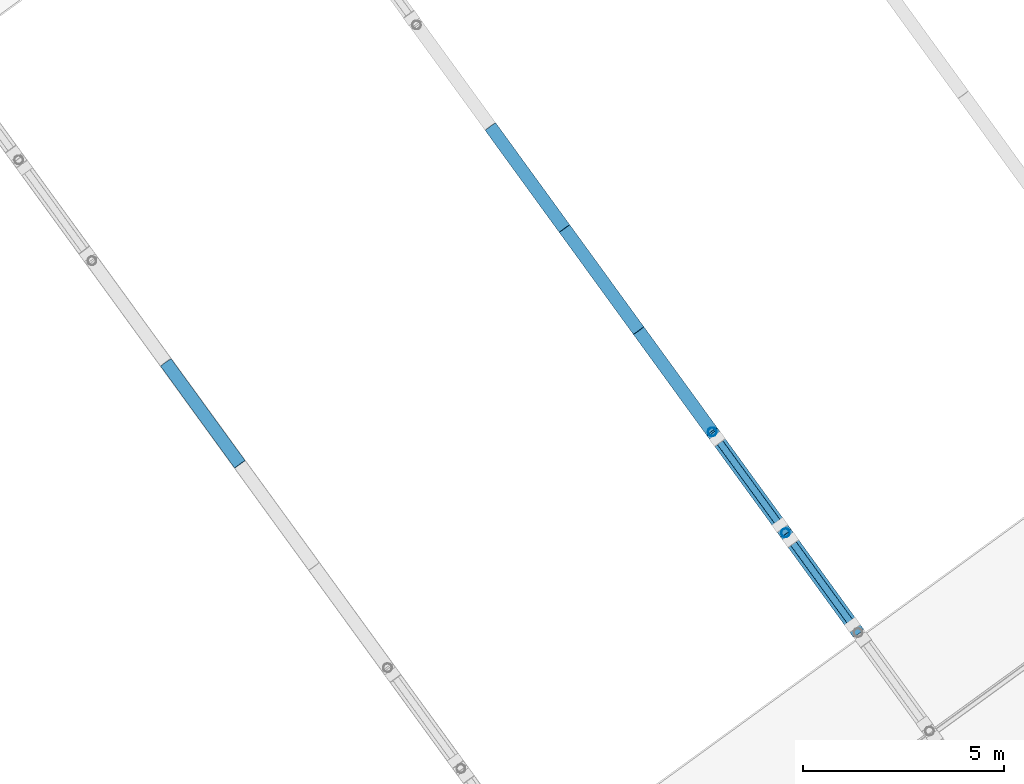
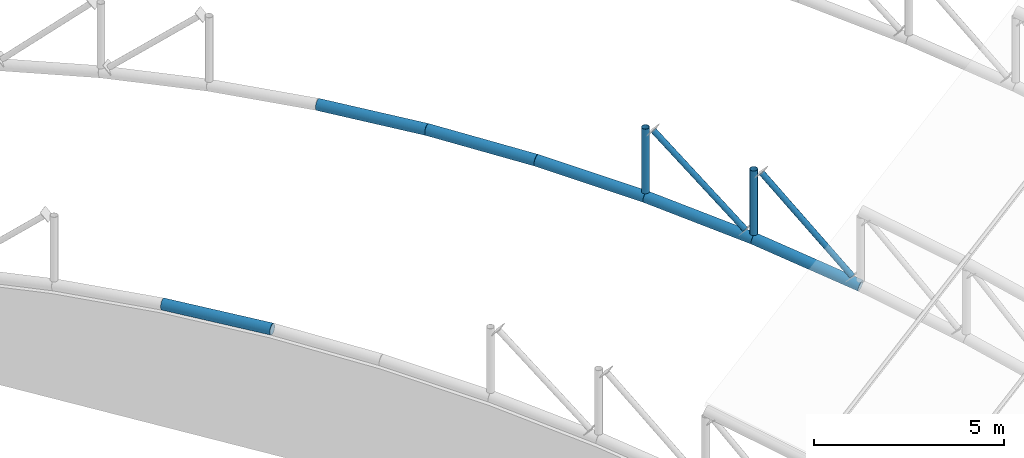
# One storey, part 16 of 69: 10 members.
"""IFC4 building model written with IfcOpenShell, lengths in metres."""

import ifcopenshell
import ifcopenshell.guid

model = None  # the IFC model being written
_history = None  # IfcOwnerHistory: only IFC2X3 demands one
_inside = {}  # id of a spatial element -> (the spatial element, [elements in it])
_under = {}  # id of a project, library or spatial element -> (it, [spatial elements below it])
_declared = {}  # id of a project -> (the project, [libraries it declares])
_typed = {}  # id of a type object -> (the type object, [elements of that type])
_made_of = {}  # id of a material, layer set ... -> (it, [elements and type objects made of it])


def new_model(schema):
    """Start an empty IFC model of exactly this schema.

    Asked for "IFC4X3", IfcOpenShell would pick the latest addendum, in which some entities
    have other attributes; the version numbers below select the first issue.
    IFC2X3 requires an IfcOwnerHistory on every rooted entity: one is made here for all.
    """
    global model, _history
    if schema == "IFC4X3":
        model = ifcopenshell.file(schema_version=(4, 3, 0, 0))
    else:
        model = ifcopenshell.file(schema=schema)
    _inside.clear()
    _under.clear()
    _declared.clear()
    _typed.clear()
    _made_of.clear()
    _history = None
    if model.schema == "IFC2X3":
        org = make("IfcOrganization", Name="unknown")
        user = make(
            "IfcPersonAndOrganization",
            ThePerson=make("IfcPerson", FamilyName="unknown"),
            TheOrganization=org,
        )
        app = make(
            "IfcApplication",
            ApplicationDeveloper=org,
            Version="unknown",
            ApplicationFullName="unknown",
            ApplicationIdentifier="unknown",
        )
        _history = make(
            "IfcOwnerHistory",
            OwningUser=user,
            OwningApplication=app,
            ChangeAction="ADDED",
            CreationDate=0,
        )
    return model


def make(cls, **values):
    """One entity of the class cls with the attributes given. An attribute that is None is left unset."""
    return model.create_entity(
        cls, **{name: value for name, value in values.items() if value is not None}
    )


def rooted(cls, **values):
    """An entity with a GlobalId (a new one), such as an element, a storey or a relation."""
    return make(cls, GlobalId=ifcopenshell.guid.new(), OwnerHistory=_history, **values)


def si_unit(unit_type, name, prefix=None):
    """IfcSIUnit, for example si_unit("LENGTHUNIT", "METRE", prefix="MILLI")."""
    return make("IfcSIUnit", UnitType=unit_type, Prefix=prefix, Name=name)


def assignment(units):
    """IfcUnitAssignment: the units of a project."""
    return None if units is None else make("IfcUnitAssignment", Units=units)


def point(xyz):
    """IfcCartesianPoint."""
    return None if xyz is None else make("IfcCartesianPoint", Coordinates=xyz)


def direction(xyz):
    """IfcDirection."""
    return None if xyz is None else make("IfcDirection", DirectionRatios=xyz)


def frame(location, z_axis=None, x_axis=None):
    """IfcAxis2Placement3D, a coordinate frame: its origin and axes. An axis left out is left unset."""
    return make(
        "IfcAxis2Placement3D",
        Location=point(location),
        Axis=direction(z_axis),
        RefDirection=direction(x_axis),
    )


def frame_2d(location, x_axis=None):
    """IfcAxis2Placement2D, a coordinate frame in the plane: its origin and x axis."""
    return make(
        "IfcAxis2Placement2D", Location=point(location), RefDirection=direction(x_axis)
    )


def origin():
    """The frame at (0, 0, 0) with its axes left unset."""
    return frame((0.0, 0.0, 0.0))


def origin_2d():
    """The frame at (0, 0) in the plane with its x axis left unset."""
    return frame_2d((0.0, 0.0))


def place(relative_to, where):
    """IfcLocalPlacement: puts the frame where relative to a parent placement (None: the world)."""
    return make(
        "IfcLocalPlacement", PlacementRelTo=relative_to, RelativePlacement=where
    )


def context(
    kind, dimensions, precision=None, world=None, true_north=None, identifier=None
):
    """IfcGeometricRepresentationContext, for example the 3D "Model" context."""
    return make(
        "IfcGeometricRepresentationContext",
        ContextIdentifier=identifier,
        ContextType=kind,
        CoordinateSpaceDimension=dimensions,
        Precision=precision,
        WorldCoordinateSystem=world,
        TrueNorth=true_north,
    )


def subcontext(parent, identifier, kind, view, scale=None):
    """IfcGeometricRepresentationSubContext, for example "Body" below "Model"."""
    return make(
        "IfcGeometricRepresentationSubContext",
        ContextIdentifier=identifier,
        ContextType=kind,
        ParentContext=parent,
        TargetScale=scale,
        TargetView=view,
    )


def project(units=None, contexts=None):
    """IfcProject with its units and contexts."""
    return rooted(
        "IfcProject",
        Name="project",
        RepresentationContexts=contexts,
        UnitsInContext=assignment(units),
    )


def spatial(cls, under=None, at=None, **own):
    """A site, building, storey or space (cls), placed at a placement, below another one or the project."""
    s = rooted(cls, ObjectPlacement=at, **own)
    if under is not None:
        _under.setdefault(under.id(), (under, []))[1].append(s)
    return s


def profile(cls, at=None, kind="AREA", **sizes):
    """A parametric profile (cls). Its sizes go by their IFC names, for example OverallWidth=200.0."""
    return make(cls, ProfileType=kind, Position=at, **sizes)


def hollow_circle(**sizes):
    """IfcCircleHollowProfileDef."""
    return profile("IfcCircleHollowProfileDef", **sizes)


def extrude(swept, where, along, depth):
    """IfcExtrudedAreaSolid: the profile swept, set in the frame where, extruded along a direction by depth."""
    return make(
        "IfcExtrudedAreaSolid",
        SweptArea=swept,
        Position=where,
        ExtrudedDirection=direction(along),
        Depth=depth,
    )


def shape(context_of_items, identifier, shape_type, items):
    """IfcShapeRepresentation: the items that make up one representation, for example the "Body"."""
    return make(
        "IfcShapeRepresentation",
        ContextOfItems=context_of_items,
        RepresentationIdentifier=identifier,
        RepresentationType=shape_type,
        Items=items,
    )


def material(Name=None, Category=None):
    """IfcMaterial."""
    return make("IfcMaterial", Name=Name, Category=Category)


def material_profile(
    of_material, cross_section, Name=None, Category=None, Priority=None
):
    """IfcMaterialProfile: a cross section and its material."""
    return make(
        "IfcMaterialProfile",
        Name=Name,
        Material=of_material,
        Profile=cross_section,
        Priority=Priority,
        Category=Category,
    )


def profile_set(profiles, Name=None, composite=None):
    """IfcMaterialProfileSet."""
    return make(
        "IfcMaterialProfileSet",
        Name=Name,
        MaterialProfiles=profiles,
        CompositeProfile=composite,
    )


def made_of(thing, what):
    """Note that an element or type object is made of a material, layer set ...; save() writes the relation."""
    if what is not None:
        _made_of.setdefault(what.id(), (what, []))[1].append(thing)
    return thing


def type_object(cls, material=None, **own):
    """A type object (cls), such as IfcWallType, which elements share."""
    return made_of(rooted(cls, **own), material)


def element(
    cls,
    number,
    at=None,
    inside=None,
    cuts=None,
    type_object=None,
    material=None,
    context=None,
    identifier="Body",
    shape_type=None,
    held_by="IfcProductDefinitionShape",
    body=None,
    shapes=None,
    **own,
):
    """One element of the class cls, such as IfcWall. Its Tag is "e" and its number.

    at: its placement. inside: the storey or other place that contains it. cuts: it is an
    opening in that element (IfcRelVoidsElement). A single representation is given by context,
    identifier, shape_type and body (its items); several are given by shapes. held_by: the class
    of the entity that holds the representations. save() writes the other relations.
    """
    e = rooted(cls, Tag="e%d" % number, ObjectPlacement=at, **own)
    if body is not None:
        shapes = [shape(context, identifier, shape_type, body)]
    if shapes is not None:
        e.Representation = make(held_by, Representations=shapes)
    if inside is not None:
        _inside.setdefault(inside.id(), (inside, []))[1].append(e)
    if cuts is not None:
        rooted(
            "IfcRelVoidsElement", RelatingBuildingElement=cuts, RelatedOpeningElement=e
        )
    if type_object is not None:
        _typed.setdefault(type_object.id(), (type_object, []))[1].append(e)
    return made_of(e, material)


def aggregate(whole, parts):
    """IfcRelAggregates: a whole, such as a stair, and the parts it consists of."""
    return rooted("IfcRelAggregates", RelatingObject=whole, RelatedObjects=parts)


def save(model, path):
    """Write the relations noted so far, then the file.

    IfcRelAggregates (storeys below a building ...), IfcRelContainedInSpatialStructure (elements
    in a storey), IfcRelDefinesByType, IfcRelAssociatesMaterial and IfcRelDeclares: one each for
    every whole, place, type object, material and project.
    """
    for whole, parts in _under.values():
        aggregate(whole, parts)
    for where, things in _inside.values():
        rooted(
            "IfcRelContainedInSpatialStructure",
            RelatedElements=things,
            RelatingStructure=where,
        )
    for kind, things in _typed.values():
        rooted("IfcRelDefinesByType", RelatedObjects=things, RelatingType=kind)
    for what, things in _made_of.values():
        rooted("IfcRelAssociatesMaterial", RelatedObjects=things, RelatingMaterial=what)
    for by, libraries in _declared.values():
        rooted("IfcRelDeclares", RelatingContext=by, RelatedDefinitions=libraries)
    model.write(path)


model = new_model("IFC4")

# Units and contexts
model_context = context("Model", 3, precision=1e-05, world=origin(), true_north=direction((0.0, 1.0)))
body_context = subcontext(model_context, "Body", "Model", "MODEL_VIEW")
ifc_project = project(units=[si_unit("LENGTHUNIT", "METRE"), si_unit("AREAUNIT", "SQUARE_METRE"), si_unit("VOLUMEUNIT", "CUBIC_METRE"), si_unit("PLANEANGLEUNIT", "RADIAN"), si_unit("MASSUNIT", "GRAM", prefix="KILO")], contexts=[model_context])

# Site, building, storey
site_placement = place(None, origin())
site = spatial("IfcSite", under=ifc_project, at=site_placement, CompositionType="ELEMENT")
building_placement = place(site_placement, origin())
building = spatial("IfcBuilding", under=site, at=building_placement, Name="Okhra Congress Centre", CompositionType="ELEMENT")
storey_placement = place(building_placement, frame((0.0, 0.0, 16.800048828125)))
storey = spatial("IfcBuildingStorey", under=building, at=storey_placement, Name="L03", CompositionType="ELEMENT", Elevation=16.800048828125)

# Members
ifc_material = material(Name="Steel S355J2H", Category="steel")
ifc_material_profile_1 = material_profile(ifc_material, hollow_circle(Radius=0.084228515625, WallThickness=0.00634765625, at=origin_2d()), Name="CHS 168.3x6.3")
ifc_profile_set_1 = profile_set([ifc_material_profile_1], Name="Steel S355J2H")
member_type_1 = type_object("IfcMemberType", Name="CHS 168.3x6.3", PredefinedType="BRACE", material=ifc_profile_set_1)
member_1_placement = place(storey_placement, frame((229.205322265625, 173.954833984375, 2.67236328125), z_axis=(-0.418439949368, 0.575872140845, 0.702338441331), x_axis=(-0.808987367589, -0.587826027904, 0.0)))
element("IfcMember", 1, at=member_1_placement, inside=storey, type_object=member_type_1, Name="Truss 2 diagonal 6", PredefinedType="BRACE", context=body_context, shape_type="SweptSolid", body=[
    extrude(hollow_circle(Radius=0.084228515625, WallThickness=0.00634765625, at=origin_2d()), origin(), (0.0, 0.0, 1.0), 3.658203125),
])
member_2_placement = place(storey_placement, frame((227.3974609375, 176.443115234375, 3.290283203125), z_axis=(-0.432835381478, 0.595779555186, 0.676535478865), x_axis=(-0.809032364404, -0.587764096681, 0.0)))
element("IfcMember", 2, at=member_2_placement, inside=storey, type_object=member_type_1, Name="Truss 2 diagonal 7", PredefinedType="BRACE", context=body_context, shape_type="SweptSolid", body=[
    extrude(hollow_circle(Radius=0.084228515625, WallThickness=0.00634765625, at=origin_2d()), origin(), (0.0, 0.0, 1.0), 3.579345703125),
])
ifc_material_profile_2 = material_profile(ifc_material, hollow_circle(Radius=0.109619140625, WallThickness=0.008056640625, at=origin_2d()), Name="CHS 219.1x8")
ifc_profile_set_2 = profile_set([ifc_material_profile_2], Name="Steel S355J2H")
member_type_2 = type_object("IfcMemberType", Name="CHS 219.1x8", PredefinedType="POST", material=ifc_profile_set_2)
member_3_placement = place(storey_placement, frame((227.542236328125, 176.244140625, 3.230712890625), z_axis=(0.0, 0.0, 1.0), x_axis=(1.0, 0.0, 0.0)))
element("IfcMember", 3, at=member_3_placement, inside=storey, type_object=member_type_2, Name="Truss 2 post 6", PredefinedType="POST", context=body_context, shape_type="SweptSolid", body=[
    extrude(hollow_circle(Radius=0.109619140625, WallThickness=0.008056640625, at=origin_2d()), origin(), (0.0, 0.0, 1.0), 2.067138671875),
])
member_4_placement = place(storey_placement, frame((225.71533203125, 178.758544921875, 3.6845703125), z_axis=(0.0, 0.0, 1.0), x_axis=(1.0, 0.0, 0.0)))
element("IfcMember", 4, at=member_4_placement, inside=storey, type_object=member_type_2, Name="Truss 2 post 7", PredefinedType="POST", context=body_context, shape_type="SweptSolid", body=[
    extrude(hollow_circle(Radius=0.109619140625, WallThickness=0.008056640625, at=origin_2d()), origin(), (0.0, 0.0, 1.0), 2.06982421875),
])
ifc_material_profile_3 = material_profile(ifc_material, hollow_circle(Radius=0.161865234375, WallThickness=0.012451171875, at=origin_2d()), Name="CHS 323.9x12.5")
ifc_profile_set_3 = profile_set([ifc_material_profile_3], Name="Steel S355J2H")
member_type_3 = type_object("IfcMemberType", Name="CHS 323.9x12.5", PredefinedType="CHORD", material=ifc_profile_set_3)
for number, where, z_axis, x_axis, name in (
    (5, (213.940185546875, 177.952392578125, 3.884521484375), (-0.587539464221, 0.808673182399, -0.029069951001), (-0.809015088623, -0.587787875327, 0.0), "Truss 1 bottom chord 10"),
    (6, (229.350341796875, 173.75537109375, 2.428955078125), (-0.575620603169, 0.792313857508, 0.202236674243), (-0.80903112876, -0.587765797488, 0.0), "Truss 2 bottom chord 6"),
    (7, (227.542236328125, 176.244140625, 3.064208984375), (-0.581594707866, 0.800460229362, 0.144951774712), (-0.809004349852, -0.587802655592, 0.0), "Truss 2 bottom chord 7"),
    (8, (225.71533203125, 178.758544921875, 3.51953125), (-0.585574378555, 0.805922581794, 0.087128866254), (-0.808999165888, -0.587809790317, 0.0), "Truss 2 bottom chord 8"),
    (9, (223.8759765625, 181.2900390625, 3.793212890625), (-0.587539464221, 0.808673182399, 0.029069951001), (-0.809015088623, -0.587787875327, 0.0), "Truss 2 bottom chord 9"),
):
    element("IfcMember", number, at=place(storey_placement, frame(where, z_axis=z_axis, x_axis=x_axis)), inside=storey, type_object=member_type_3, Name=name, PredefinedType="CHORD", context=body_context, shape_type="SweptSolid", body=[
        extrude(hollow_circle(Radius=0.161865234375, WallThickness=0.012451171875, at=origin_2d()), origin(), (0.0, 0.0, 1.0), 3.14111328125),
    ])
member_5_placement = place(storey_placement, frame((222.030517578125, 183.830078125, 3.884521484375), z_axis=(-0.587553427849, 0.808663150366, -0.029066796563), x_axis=(-0.809004978104, -0.587801790915, 0.0)))
element("IfcMember", 10, at=member_5_placement, inside=storey, type_object=member_type_3, Name="Truss 2 bottom chord 10", PredefinedType="CHORD", context=body_context, shape_type="SweptSolid", body=[
    extrude(hollow_circle(Radius=0.161865234375, WallThickness=0.012451171875, at=origin_2d()), origin(), (0.0, 0.0, 1.0), 3.141357421875),
])

save(model, "model.ifc")
